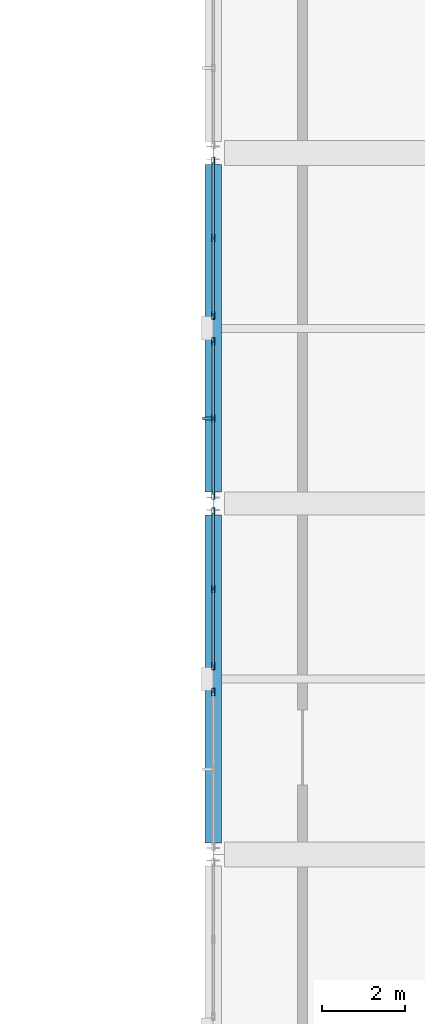
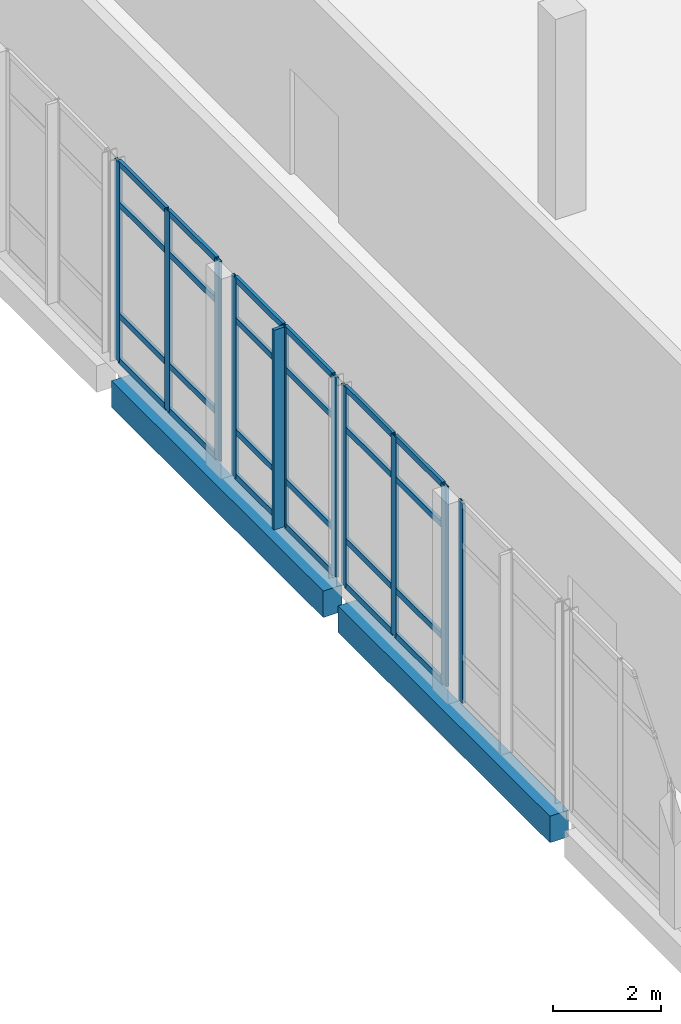
# One storey, part 30 of 102: 35 members, 2 beams, 4 elements without a shape of their own.
"""IFC4 building model written with IfcOpenShell, lengths in metres."""

from ifc_helpers import new_model, si_unit, direction, frame, origin, origin_2d, place, context, subcontext, project, spatial, rectangle, hollow_rectangle, extrude, material, layer, layer_set, material_profile, profile_set, type_object, element, aggregate, save


model = new_model("IFC4")

# Units and contexts
model_context = context("Model", 3, precision=1e-05, world=origin(), true_north=direction((0.0, 1.0)))
body_context = subcontext(model_context, "Body", "Model", "MODEL_VIEW")
ifc_project = project(units=[si_unit("LENGTHUNIT", "METRE"), si_unit("AREAUNIT", "SQUARE_METRE"), si_unit("VOLUMEUNIT", "CUBIC_METRE"), si_unit("PLANEANGLEUNIT", "RADIAN"), si_unit("MASSUNIT", "GRAM", prefix="KILO")], contexts=[model_context])

# Site, building, storey
site_placement = place(None, origin())
site = spatial("IfcSite", under=ifc_project, at=site_placement, CompositionType="ELEMENT")
building_placement = place(site_placement, origin())
building = spatial("IfcBuilding", under=site, at=building_placement, Name="Lornevale Opera House", CompositionType="ELEMENT")
storey_placement = place(building_placement, frame((0.0, 0.0, 5.39990234375)))
storey = spatial("IfcBuildingStorey", under=building, at=storey_placement, Name="L02", CompositionType="ELEMENT", Elevation=5.39990234375)

# Beams
ifc_material_1 = material(Name="Concrete 35 MPa (CSA A23.1 N)", Category="concrete")
ifc_material_profile_1 = material_profile(ifc_material_1, rectangle(XDim=0.39990234375, YDim=0.60009765625, at=origin_2d()), Name="RC400x600")
ifc_profile_set_1 = profile_set([ifc_material_profile_1], Name="Concrete 35 MPa (CSA A23.1 N)")
beam_type = type_object("IfcBeamType", Name="Concrete Spandrel Beam 400x600", PredefinedType="SPANDREL", material=ifc_profile_set_1)
beam_1_placement = place(storey_placement, frame((28.800048828125, 42.27490234375, -0.64990234375), z_axis=(0.0, 1.0, 0.0), x_axis=(-1.0, 0.0, 0.0)))
element("IfcBeam", 1, at=beam_1_placement, inside=storey, type_object=beam_type, Name="Concrete Spandrel Beam 400x600 1850", PredefinedType="SPANDREL", context=body_context, shape_type="SweptSolid", body=[
    extrude(rectangle(XDim=0.39990234375, YDim=0.60009765625, at=origin_2d()), origin(), (0.0, 0.0, 1.0), 7.85009765625),
])
beam_2_placement = place(storey_placement, frame((28.800048828125, 50.675048828125, -0.64990234375), z_axis=(0.0, 1.0, 0.0), x_axis=(-1.0, 0.0, 0.0)))
element("IfcBeam", 2, at=beam_2_placement, inside=storey, type_object=beam_type, Name="Concrete Spandrel Beam 400x600 1851", PredefinedType="SPANDREL", context=body_context, shape_type="SweptSolid", body=[
    extrude(rectangle(XDim=0.39990234375, YDim=0.60009765625, at=origin_2d()), origin(), (0.0, 0.0, 1.0), 7.849853515625),
])

# Curtain wall, member
ifc_material_2 = material(Name="Anodized Oxide-Green Aluminium Framing", Category="aluminium")
ifc_layer = layer(ifc_material_2, 0.175048828125)
ifc_layer_set = layer_set([ifc_layer], Name="Anodized Oxide-Green Aluminium Framing")
curtain_wall_type = type_object("IfcCurtainWallType", Name="Chamber Cloister Curtain Wall M1700", PredefinedType="NOTDEFINED", material=ifc_layer_set)
curtain_wall_1_placement = place(storey_placement, origin())
curtain_wall_1 = element("IfcCurtainWall", 3, at=curtain_wall_1_placement, inside=storey, type_object=curtain_wall_type, Name="Chamber Cloister Curtain Wall M1700 CW-055", PredefinedType="NOTDEFINED")
ifc_material_profile_2 = material_profile(ifc_material_2, hollow_rectangle(XDim=0.06494140625, YDim=0.179931640625, WallThickness=0.0048828125, at=origin_2d()), Name="ALU65x180x5")
ifc_profile_set_2 = profile_set([ifc_material_profile_2], Name="Anodized Oxide-Green Aluminium Framing")
member_type_1 = type_object("IfcMemberType", Name="Curtain Wall Mullion 65x180", PredefinedType="MULLION", material=ifc_profile_set_2)
member_1_placement = place(storey_placement, frame((28.800048828125, 45.887451171875, 0.0), z_axis=(0.0, 0.0, 1.0), x_axis=(-1.0, 0.0, 0.0)))
member_1 = element("IfcMember", 4, at=member_1_placement, type_object=member_type_1, Name="Curtain Wall Mullion 65x180 CW1113", PredefinedType="MULLION", context=body_context, shape_type="SweptSolid", body=[
    extrude(hollow_rectangle(XDim=0.06494140625, YDim=0.179931640625, WallThickness=0.0048828125, at=origin_2d()), origin(), (0.0, 0.0, 1.0), 4.52001953125),
])
aggregate(curtain_wall_1, [member_1])

# Curtain wall, members
curtain_wall_2_placement = place(storey_placement, origin())
curtain_wall_2 = element("IfcCurtainWall", 5, at=curtain_wall_2_placement, inside=storey, type_object=curtain_wall_type, Name="Chamber Cloister Curtain Wall M1700 CW-056", PredefinedType="NOTDEFINED")
member_2_placement = place(storey_placement, frame((28.800048828125, 46.512451171875, 0.0), z_axis=(0.0, 0.0, 1.0), x_axis=(-1.0, 0.0, 0.0)))
member_2 = element("IfcMember", 6, at=member_2_placement, type_object=member_type_1, Name="Curtain Wall Mullion 65x180 CW1128", PredefinedType="MULLION", context=body_context, shape_type="SweptSolid", body=[
    extrude(hollow_rectangle(XDim=0.06494140625, YDim=0.179931640625, WallThickness=0.0048828125, at=origin_2d()), origin(), (0.0, 0.0, 1.0), 4.52001953125),
])
member_3_placement = place(storey_placement, frame((28.800048828125, 48.361083984375, 0.0), z_axis=(0.0, 0.0, 1.0), x_axis=(-1.0, 0.0, 0.0)))
member_3 = element("IfcMember", 7, at=member_3_placement, type_object=member_type_1, Name="Curtain Wall Mullion 65x180 CW1129", PredefinedType="MULLION", context=body_context, shape_type="SweptSolid", body=[
    extrude(hollow_rectangle(XDim=0.06494140625, YDim=0.179931640625, WallThickness=0.0048828125, at=origin_2d()), origin(), (0.0, 0.0, 1.0), 4.52001953125),
])
member_4_placement = place(storey_placement, frame((28.800048828125, 50.2099609375, 0.0), z_axis=(0.0, 0.0, 1.0), x_axis=(-1.0, 0.0, 0.0)))
member_4 = element("IfcMember", 8, at=member_4_placement, type_object=member_type_1, Name="Curtain Wall Mullion 65x180 CW1130", PredefinedType="MULLION", context=body_context, shape_type="SweptSolid", body=[
    extrude(hollow_rectangle(XDim=0.06494140625, YDim=0.179931640625, WallThickness=0.0048828125, at=origin_2d()), origin(), (0.0, 0.0, 1.0), 4.52001953125),
])

curtain_wall_3_placement = place(storey_placement, origin())
curtain_wall_3 = element("IfcCurtainWall", 9, at=curtain_wall_3_placement, inside=storey, type_object=curtain_wall_type, Name="Chamber Cloister Curtain Wall M1700 CW-057", PredefinedType="NOTDEFINED")
member_5_placement = place(storey_placement, frame((28.800048828125, 50.590087890625, 0.0), z_axis=(0.0, 0.0, 1.0), x_axis=(-1.0, 0.0, 0.0)))
member_5 = element("IfcMember", 10, at=member_5_placement, type_object=member_type_1, Name="Curtain Wall Mullion 65x180 CW1145", PredefinedType="MULLION", context=body_context, shape_type="SweptSolid", body=[
    extrude(hollow_rectangle(XDim=0.06494140625, YDim=0.179931640625, WallThickness=0.0048828125, at=origin_2d()), origin(), (0.0, 0.0, 1.0), 4.52001953125),
])
member_6_placement = place(storey_placement, frame((28.800048828125, 52.438720703125, 0.0), z_axis=(0.0, 0.0, 1.0), x_axis=(-1.0, 0.0, 0.0)))
member_6 = element("IfcMember", 11, at=member_6_placement, type_object=member_type_1, Name="Curtain Wall Mullion 65x180 CW1146", PredefinedType="MULLION", context=body_context, shape_type="SweptSolid", body=[
    extrude(hollow_rectangle(XDim=0.06494140625, YDim=0.179931640625, WallThickness=0.0048828125, at=origin_2d()), origin(), (0.0, 0.0, 1.0), 4.52001953125),
])
member_7_placement = place(storey_placement, frame((28.800048828125, 54.28759765625, 0.0), z_axis=(0.0, 0.0, 1.0), x_axis=(-1.0, 0.0, 0.0)))
member_7 = element("IfcMember", 12, at=member_7_placement, type_object=member_type_1, Name="Curtain Wall Mullion 65x180 CW1147", PredefinedType="MULLION", context=body_context, shape_type="SweptSolid", body=[
    extrude(hollow_rectangle(XDim=0.06494140625, YDim=0.179931640625, WallThickness=0.0048828125, at=origin_2d()), origin(), (0.0, 0.0, 1.0), 4.52001953125),
])

curtain_wall_4_placement = place(storey_placement, origin())
curtain_wall_4 = element("IfcCurtainWall", 13, at=curtain_wall_4_placement, inside=storey, type_object=curtain_wall_type, Name="Chamber Cloister Curtain Wall M1700 CW-058", PredefinedType="NOTDEFINED")
member_8_placement = place(storey_placement, frame((28.800048828125, 54.91259765625, 0.0), z_axis=(0.0, 0.0, 1.0), x_axis=(-1.0, 0.0, 0.0)))
member_8 = element("IfcMember", 14, at=member_8_placement, type_object=member_type_1, Name="Curtain Wall Mullion 65x180 CW1162", PredefinedType="MULLION", context=body_context, shape_type="SweptSolid", body=[
    extrude(hollow_rectangle(XDim=0.06494140625, YDim=0.179931640625, WallThickness=0.0048828125, at=origin_2d()), origin(), (0.0, 0.0, 1.0), 4.52001953125),
])
member_9_placement = place(storey_placement, frame((28.800048828125, 56.76123046875, 0.0), z_axis=(0.0, 0.0, 1.0), x_axis=(-1.0, 0.0, 0.0)))
member_9 = element("IfcMember", 15, at=member_9_placement, type_object=member_type_1, Name="Curtain Wall Mullion 65x180 CW1163", PredefinedType="MULLION", context=body_context, shape_type="SweptSolid", body=[
    extrude(hollow_rectangle(XDim=0.06494140625, YDim=0.179931640625, WallThickness=0.0048828125, at=origin_2d()), origin(), (0.0, 0.0, 1.0), 4.52001953125),
])
member_10_placement = place(storey_placement, frame((28.800048828125, 58.610107421875, 0.0), z_axis=(0.0, 0.0, 1.0), x_axis=(-1.0, 0.0, 0.0)))
member_10 = element("IfcMember", 16, at=member_10_placement, type_object=member_type_1, Name="Curtain Wall Mullion 65x180 CW1164", PredefinedType="MULLION", context=body_context, shape_type="SweptSolid", body=[
    extrude(hollow_rectangle(XDim=0.06494140625, YDim=0.179931640625, WallThickness=0.0048828125, at=origin_2d()), origin(), (0.0, 0.0, 1.0), 4.52001953125),
])

# Member
ifc_material_profile_3 = material_profile(ifc_material_2, hollow_rectangle(XDim=0.06494140625, YDim=0.135009765625, WallThickness=0.00390625, at=origin_2d()), Name="ALU65x135x4")
ifc_profile_set_3 = profile_set([ifc_material_profile_3], Name="Anodized Oxide-Green Aluminium Framing")
member_type_2 = type_object("IfcMemberType", Name="Curtain Wall Transom 65x135", PredefinedType="USERDEFINED", material=ifc_profile_set_3)
member_11_placement = place(storey_placement, frame((28.800048828125, 46.544921875, 0.03271484375), z_axis=(0.0, 1.0, 0.0), x_axis=(-1.0, 0.0, 0.0)))
member_11 = element("IfcMember", 17, at=member_11_placement, type_object=member_type_2, Name="Curtain Wall Transom 65x135 CW1131", ObjectType="TRANSOM", PredefinedType="USERDEFINED", context=body_context, shape_type="SweptSolid", body=[
    extrude(hollow_rectangle(XDim=0.06494140625, YDim=0.135009765625, WallThickness=0.00390625, at=origin_2d()), origin(), (0.0, 0.0, 1.0), 1.78369140625),
])

member_12_placement = place(storey_placement, frame((28.800048828125, 46.544921875, 1.050048828125), z_axis=(0.0, 1.0, 0.0), x_axis=(-1.0, 0.0, 0.0)))
member_12 = element("IfcMember", 18, at=member_12_placement, type_object=member_type_2, Name="Curtain Wall Transom 65x135 CW1132", ObjectType="TRANSOM", PredefinedType="USERDEFINED", context=body_context, shape_type="SweptSolid", body=[
    extrude(hollow_rectangle(XDim=0.06494140625, YDim=0.135009765625, WallThickness=0.00390625, at=origin_2d()), origin(), (0.0, 0.0, 1.0), 1.78369140625),
])

member_13_placement = place(storey_placement, frame((28.800048828125, 46.544921875, 3.570068359375), z_axis=(0.0, 1.0, 0.0), x_axis=(-1.0, 0.0, 0.0)))
member_13 = element("IfcMember", 19, at=member_13_placement, type_object=member_type_2, Name="Curtain Wall Transom 65x135 CW1133", ObjectType="TRANSOM", PredefinedType="USERDEFINED", context=body_context, shape_type="SweptSolid", body=[
    extrude(hollow_rectangle(XDim=0.06494140625, YDim=0.135009765625, WallThickness=0.00390625, at=origin_2d()), origin(), (0.0, 0.0, 1.0), 1.78369140625),
])

member_14_placement = place(storey_placement, frame((28.800048828125, 46.544921875, 4.487548828125), z_axis=(0.0, 1.0, 0.0), x_axis=(-1.0, 0.0, 0.0)))
member_14 = element("IfcMember", 20, at=member_14_placement, type_object=member_type_2, Name="Curtain Wall Transom 65x135 CW1134", ObjectType="TRANSOM", PredefinedType="USERDEFINED", context=body_context, shape_type="SweptSolid", body=[
    extrude(hollow_rectangle(XDim=0.06494140625, YDim=0.135009765625, WallThickness=0.00390625, at=origin_2d()), origin(), (0.0, 0.0, 1.0), 1.78369140625),
])

member_15_placement = place(storey_placement, frame((28.800048828125, 48.393798828125, 0.03271484375), z_axis=(0.0, 1.0, 0.0), x_axis=(-1.0, 0.0, 0.0)))
member_15 = element("IfcMember", 21, at=member_15_placement, type_object=member_type_2, Name="Curtain Wall Transom 65x135 CW1138", ObjectType="TRANSOM", PredefinedType="USERDEFINED", context=body_context, shape_type="SweptSolid", body=[
    extrude(hollow_rectangle(XDim=0.06494140625, YDim=0.135009765625, WallThickness=0.00390625, at=origin_2d()), origin(), (0.0, 0.0, 1.0), 1.78369140625),
])

member_16_placement = place(storey_placement, frame((28.800048828125, 48.393798828125, 1.050048828125), z_axis=(0.0, 1.0, 0.0), x_axis=(-1.0, 0.0, 0.0)))
member_16 = element("IfcMember", 22, at=member_16_placement, type_object=member_type_2, Name="Curtain Wall Transom 65x135 CW1139", ObjectType="TRANSOM", PredefinedType="USERDEFINED", context=body_context, shape_type="SweptSolid", body=[
    extrude(hollow_rectangle(XDim=0.06494140625, YDim=0.135009765625, WallThickness=0.00390625, at=origin_2d()), origin(), (0.0, 0.0, 1.0), 1.78369140625),
])

member_17_placement = place(storey_placement, frame((28.800048828125, 48.393798828125, 3.570068359375), z_axis=(0.0, 1.0, 0.0), x_axis=(-1.0, 0.0, 0.0)))
member_17 = element("IfcMember", 23, at=member_17_placement, type_object=member_type_2, Name="Curtain Wall Transom 65x135 CW1140", ObjectType="TRANSOM", PredefinedType="USERDEFINED", context=body_context, shape_type="SweptSolid", body=[
    extrude(hollow_rectangle(XDim=0.06494140625, YDim=0.135009765625, WallThickness=0.00390625, at=origin_2d()), origin(), (0.0, 0.0, 1.0), 1.78369140625),
])

member_18_placement = place(storey_placement, frame((28.800048828125, 48.393798828125, 4.487548828125), z_axis=(0.0, 1.0, 0.0), x_axis=(-1.0, 0.0, 0.0)))
member_18 = element("IfcMember", 24, at=member_18_placement, type_object=member_type_2, Name="Curtain Wall Transom 65x135 CW1141", ObjectType="TRANSOM", PredefinedType="USERDEFINED", context=body_context, shape_type="SweptSolid", body=[
    extrude(hollow_rectangle(XDim=0.06494140625, YDim=0.135009765625, WallThickness=0.00390625, at=origin_2d()), origin(), (0.0, 0.0, 1.0), 1.78369140625),
])

aggregate(curtain_wall_2, [member_2, member_3, member_4, member_11, member_12, member_13, member_14, member_15, member_16, member_17, member_18])

member_19_placement = place(storey_placement, frame((28.800048828125, 50.62255859375, 0.03271484375), z_axis=(0.0, 1.0, 0.0), x_axis=(-1.0, 0.0, 0.0)))
member_19 = element("IfcMember", 25, at=member_19_placement, type_object=member_type_2, Name="Curtain Wall Transom 65x135 CW1148", ObjectType="TRANSOM", PredefinedType="USERDEFINED", context=body_context, shape_type="SweptSolid", body=[
    extrude(hollow_rectangle(XDim=0.06494140625, YDim=0.135009765625, WallThickness=0.00390625, at=origin_2d()), origin(), (0.0, 0.0, 1.0), 1.78369140625),
])

member_20_placement = place(storey_placement, frame((28.800048828125, 50.62255859375, 1.050048828125), z_axis=(0.0, 1.0, 0.0), x_axis=(-1.0, 0.0, 0.0)))
member_20 = element("IfcMember", 26, at=member_20_placement, type_object=member_type_2, Name="Curtain Wall Transom 65x135 CW1149", ObjectType="TRANSOM", PredefinedType="USERDEFINED", context=body_context, shape_type="SweptSolid", body=[
    extrude(hollow_rectangle(XDim=0.06494140625, YDim=0.135009765625, WallThickness=0.00390625, at=origin_2d()), origin(), (0.0, 0.0, 1.0), 1.78369140625),
])

member_21_placement = place(storey_placement, frame((28.800048828125, 50.62255859375, 3.570068359375), z_axis=(0.0, 1.0, 0.0), x_axis=(-1.0, 0.0, 0.0)))
member_21 = element("IfcMember", 27, at=member_21_placement, type_object=member_type_2, Name="Curtain Wall Transom 65x135 CW1150", ObjectType="TRANSOM", PredefinedType="USERDEFINED", context=body_context, shape_type="SweptSolid", body=[
    extrude(hollow_rectangle(XDim=0.06494140625, YDim=0.135009765625, WallThickness=0.00390625, at=origin_2d()), origin(), (0.0, 0.0, 1.0), 1.78369140625),
])

member_22_placement = place(storey_placement, frame((28.800048828125, 50.62255859375, 4.487548828125), z_axis=(0.0, 1.0, 0.0), x_axis=(-1.0, 0.0, 0.0)))
member_22 = element("IfcMember", 28, at=member_22_placement, type_object=member_type_2, Name="Curtain Wall Transom 65x135 CW1151", ObjectType="TRANSOM", PredefinedType="USERDEFINED", context=body_context, shape_type="SweptSolid", body=[
    extrude(hollow_rectangle(XDim=0.06494140625, YDim=0.135009765625, WallThickness=0.00390625, at=origin_2d()), origin(), (0.0, 0.0, 1.0), 1.78369140625),
])

member_23_placement = place(storey_placement, frame((28.800048828125, 52.47119140625, 0.03271484375), z_axis=(0.0, 1.0, 0.0), x_axis=(-1.0, 0.0, 0.0)))
member_23 = element("IfcMember", 29, at=member_23_placement, type_object=member_type_2, Name="Curtain Wall Transom 65x135 CW1155", ObjectType="TRANSOM", PredefinedType="USERDEFINED", context=body_context, shape_type="SweptSolid", body=[
    extrude(hollow_rectangle(XDim=0.06494140625, YDim=0.135009765625, WallThickness=0.00390625, at=origin_2d()), origin(), (0.0, 0.0, 1.0), 1.78369140625),
])

member_24_placement = place(storey_placement, frame((28.800048828125, 52.47119140625, 1.050048828125), z_axis=(0.0, 1.0, 0.0), x_axis=(-1.0, 0.0, 0.0)))
member_24 = element("IfcMember", 30, at=member_24_placement, type_object=member_type_2, Name="Curtain Wall Transom 65x135 CW1156", ObjectType="TRANSOM", PredefinedType="USERDEFINED", context=body_context, shape_type="SweptSolid", body=[
    extrude(hollow_rectangle(XDim=0.06494140625, YDim=0.135009765625, WallThickness=0.00390625, at=origin_2d()), origin(), (0.0, 0.0, 1.0), 1.78369140625),
])

member_25_placement = place(storey_placement, frame((28.800048828125, 52.47119140625, 3.570068359375), z_axis=(0.0, 1.0, 0.0), x_axis=(-1.0, 0.0, 0.0)))
member_25 = element("IfcMember", 31, at=member_25_placement, type_object=member_type_2, Name="Curtain Wall Transom 65x135 CW1157", ObjectType="TRANSOM", PredefinedType="USERDEFINED", context=body_context, shape_type="SweptSolid", body=[
    extrude(hollow_rectangle(XDim=0.06494140625, YDim=0.135009765625, WallThickness=0.00390625, at=origin_2d()), origin(), (0.0, 0.0, 1.0), 1.78369140625),
])

member_26_placement = place(storey_placement, frame((28.800048828125, 52.47119140625, 4.487548828125), z_axis=(0.0, 1.0, 0.0), x_axis=(-1.0, 0.0, 0.0)))
member_26 = element("IfcMember", 32, at=member_26_placement, type_object=member_type_2, Name="Curtain Wall Transom 65x135 CW1158", ObjectType="TRANSOM", PredefinedType="USERDEFINED", context=body_context, shape_type="SweptSolid", body=[
    extrude(hollow_rectangle(XDim=0.06494140625, YDim=0.135009765625, WallThickness=0.00390625, at=origin_2d()), origin(), (0.0, 0.0, 1.0), 1.78369140625),
])

member_27_placement = place(storey_placement, frame((28.800048828125, 54.945068359375, 0.03271484375), z_axis=(0.0, 1.0, 0.0), x_axis=(-1.0, 0.0, 0.0)))
member_27 = element("IfcMember", 33, at=member_27_placement, type_object=member_type_2, Name="Curtain Wall Transom 65x135 CW1165", ObjectType="TRANSOM", PredefinedType="USERDEFINED", context=body_context, shape_type="SweptSolid", body=[
    extrude(hollow_rectangle(XDim=0.06494140625, YDim=0.135009765625, WallThickness=0.00390625, at=origin_2d()), origin(), (0.0, 0.0, 1.0), 1.78369140625),
])

member_28_placement = place(storey_placement, frame((28.800048828125, 54.945068359375, 1.050048828125), z_axis=(0.0, 1.0, 0.0), x_axis=(-1.0, 0.0, 0.0)))
member_28 = element("IfcMember", 34, at=member_28_placement, type_object=member_type_2, Name="Curtain Wall Transom 65x135 CW1166", ObjectType="TRANSOM", PredefinedType="USERDEFINED", context=body_context, shape_type="SweptSolid", body=[
    extrude(hollow_rectangle(XDim=0.06494140625, YDim=0.135009765625, WallThickness=0.00390625, at=origin_2d()), origin(), (0.0, 0.0, 1.0), 1.78369140625),
])

member_29_placement = place(storey_placement, frame((28.800048828125, 54.945068359375, 3.570068359375), z_axis=(0.0, 1.0, 0.0), x_axis=(-1.0, 0.0, 0.0)))
member_29 = element("IfcMember", 35, at=member_29_placement, type_object=member_type_2, Name="Curtain Wall Transom 65x135 CW1167", ObjectType="TRANSOM", PredefinedType="USERDEFINED", context=body_context, shape_type="SweptSolid", body=[
    extrude(hollow_rectangle(XDim=0.06494140625, YDim=0.135009765625, WallThickness=0.00390625, at=origin_2d()), origin(), (0.0, 0.0, 1.0), 1.78369140625),
])

member_30_placement = place(storey_placement, frame((28.800048828125, 54.945068359375, 4.487548828125), z_axis=(0.0, 1.0, 0.0), x_axis=(-1.0, 0.0, 0.0)))
member_30 = element("IfcMember", 36, at=member_30_placement, type_object=member_type_2, Name="Curtain Wall Transom 65x135 CW1168", ObjectType="TRANSOM", PredefinedType="USERDEFINED", context=body_context, shape_type="SweptSolid", body=[
    extrude(hollow_rectangle(XDim=0.06494140625, YDim=0.135009765625, WallThickness=0.00390625, at=origin_2d()), origin(), (0.0, 0.0, 1.0), 1.78369140625),
])

member_31_placement = place(storey_placement, frame((28.800048828125, 56.793701171875, 0.03271484375), z_axis=(0.0, 1.0, 0.0), x_axis=(-1.0, 0.0, 0.0)))
member_31 = element("IfcMember", 37, at=member_31_placement, type_object=member_type_2, Name="Curtain Wall Transom 65x135 CW1172", ObjectType="TRANSOM", PredefinedType="USERDEFINED", context=body_context, shape_type="SweptSolid", body=[
    extrude(hollow_rectangle(XDim=0.06494140625, YDim=0.135009765625, WallThickness=0.00390625, at=origin_2d()), origin(), (0.0, 0.0, 1.0), 1.78369140625),
])

member_32_placement = place(storey_placement, frame((28.800048828125, 56.793701171875, 1.050048828125), z_axis=(0.0, 1.0, 0.0), x_axis=(-1.0, 0.0, 0.0)))
member_32 = element("IfcMember", 38, at=member_32_placement, type_object=member_type_2, Name="Curtain Wall Transom 65x135 CW1173", ObjectType="TRANSOM", PredefinedType="USERDEFINED", context=body_context, shape_type="SweptSolid", body=[
    extrude(hollow_rectangle(XDim=0.06494140625, YDim=0.135009765625, WallThickness=0.00390625, at=origin_2d()), origin(), (0.0, 0.0, 1.0), 1.78369140625),
])

member_33_placement = place(storey_placement, frame((28.800048828125, 56.793701171875, 3.570068359375), z_axis=(0.0, 1.0, 0.0), x_axis=(-1.0, 0.0, 0.0)))
member_33 = element("IfcMember", 39, at=member_33_placement, type_object=member_type_2, Name="Curtain Wall Transom 65x135 CW1174", ObjectType="TRANSOM", PredefinedType="USERDEFINED", context=body_context, shape_type="SweptSolid", body=[
    extrude(hollow_rectangle(XDim=0.06494140625, YDim=0.135009765625, WallThickness=0.00390625, at=origin_2d()), origin(), (0.0, 0.0, 1.0), 1.78369140625),
])

member_34_placement = place(storey_placement, frame((28.800048828125, 56.793701171875, 4.487548828125), z_axis=(0.0, 1.0, 0.0), x_axis=(-1.0, 0.0, 0.0)))
member_34 = element("IfcMember", 40, at=member_34_placement, type_object=member_type_2, Name="Curtain Wall Transom 65x135 CW1175", ObjectType="TRANSOM", PredefinedType="USERDEFINED", context=body_context, shape_type="SweptSolid", body=[
    extrude(hollow_rectangle(XDim=0.06494140625, YDim=0.135009765625, WallThickness=0.00390625, at=origin_2d()), origin(), (0.0, 0.0, 1.0), 1.78369140625),
])

aggregate(curtain_wall_4, [member_8, member_9, member_10, member_27, member_28, member_29, member_30, member_31, member_32, member_33, member_34])

ifc_material_3 = material(Name="Architectural Bronze Solar Louvre Alloy", Category="metal")
ifc_material_profile_4 = material_profile(ifc_material_3, rectangle(XDim=0.070068359375, YDim=0.300048828125, at=origin_2d()), Name="FIN70x300")
ifc_profile_set_4 = profile_set([ifc_material_profile_4], Name="Architectural Bronze Solar Louvre Alloy")
member_type_3 = type_object("IfcMemberType", Name="Solar Shading Fin 70x300", PredefinedType="USERDEFINED", material=ifc_profile_set_4)
member_35_placement = place(storey_placement, frame((28.695068359375, 52.438720703125, 0.0), z_axis=(0.0, 0.0, 1.0), x_axis=(0.0, 1.0, 0.0)))
member_35 = element("IfcMember", 41, at=member_35_placement, type_object=member_type_3, Name="Solar Shading Fin 70x300 FIN0023", ObjectType="SOLAR FIN", PredefinedType="USERDEFINED", context=body_context, shape_type="SweptSolid", body=[
    extrude(rectangle(XDim=0.070068359375, YDim=0.300048828125, at=origin_2d()), origin(), (0.0, 0.0, 1.0), 4.52001953125),
])

aggregate(curtain_wall_3, [member_5, member_6, member_7, member_19, member_20, member_21, member_22, member_23, member_24, member_25, member_26, member_35])

save(model, "model.ifc")
